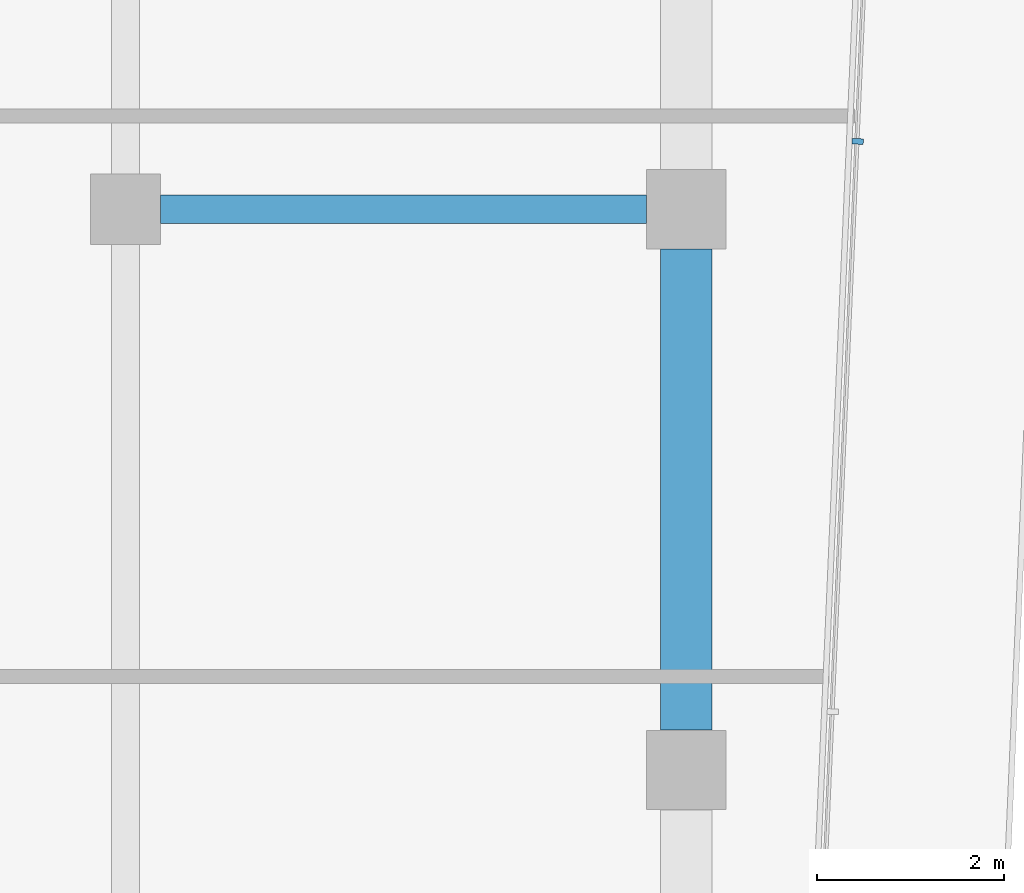
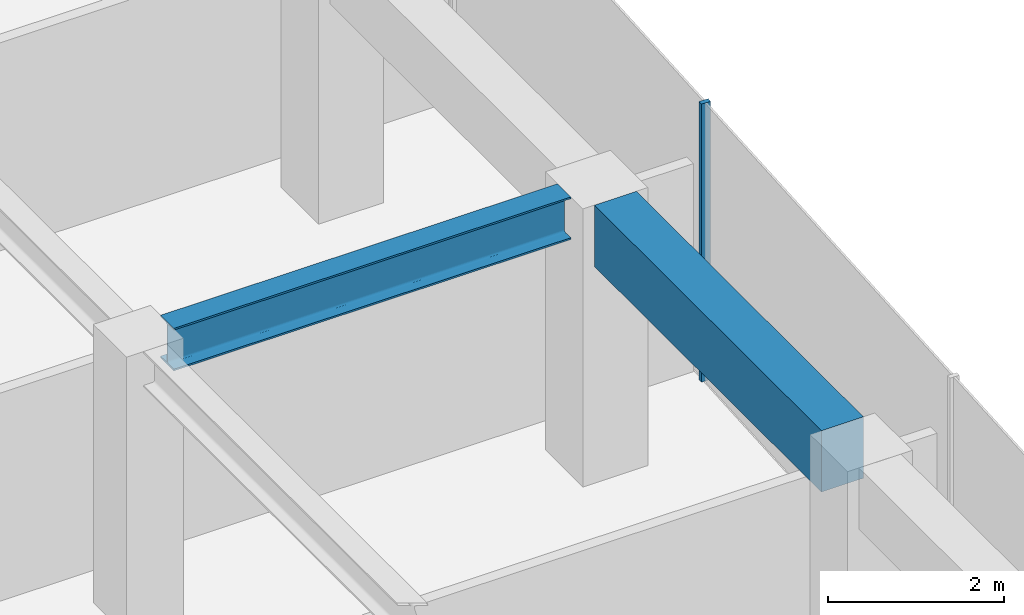
# One storey, part 12 of 21: 2 beams, 1 member, 1 element without a shape of its own.
"""IFC4 building model written with IfcOpenShell, lengths in metres."""

from ifc_helpers import new_model, si_unit, direction, frame, origin, origin_2d, place, context, subcontext, project, spatial, rectangle, i_section, extrude, material, layer, layer_set, material_profile, profile_set, type_object, element, aggregate, save


model = new_model("IFC4")

# Units and contexts
model_context = context("Model", 3, precision=1e-05, world=origin(), true_north=direction((0.0, 1.0)))
body_context = subcontext(model_context, "Body", "Model", "MODEL_VIEW")
ifc_project = project(units=[si_unit("LENGTHUNIT", "METRE"), si_unit("AREAUNIT", "SQUARE_METRE"), si_unit("VOLUMEUNIT", "CUBIC_METRE"), si_unit("PLANEANGLEUNIT", "RADIAN"), si_unit("MASSUNIT", "GRAM", prefix="KILO")], contexts=[model_context])

# Site, building, storey
site_placement = place(None, origin())
site = spatial("IfcSite", under=ifc_project, at=site_placement, CompositionType="ELEMENT")
building_placement = place(site_placement, origin())
building = spatial("IfcBuilding", under=site, at=building_placement, Name="Welwitschia Terrace Campus", CompositionType="ELEMENT")
storey_placement = place(building_placement, frame((0.0, 0.0, 159.199951171875)))
storey = spatial("IfcBuildingStorey", under=building, at=storey_placement, Name="L35", CompositionType="ELEMENT", Elevation=159.199951171875)

# Curtain wall, member
ifc_material_1 = material(Name="Bronze anodised aluminium", Category="aluminium")
ifc_layer = layer(ifc_material_1, 0.1201171875)
ifc_layer_set = layer_set([ifc_layer], Name="Bronze anodised aluminium")
curtain_wall_type = type_object("IfcCurtainWallType", Name="Curtain wall CW2 tower 6000", PredefinedType="NOTDEFINED", material=ifc_layer_set)
curtain_wall_placement = place(storey_placement, origin())
curtain_wall = element("IfcCurtainWall", 1, at=curtain_wall_placement, inside=storey, type_object=curtain_wall_type, Name="CW L35.9.0", PredefinedType="NOTDEFINED")
ifc_material_2 = material(Name="Bronze anodised aluminium", Category="aluminium")
ifc_material_profile_1 = material_profile(ifc_material_2, rectangle(XDim=0.1201171875, YDim=0.06005859375, at=origin_2d()))
ifc_profile_set_1 = profile_set([ifc_material_profile_1], Name="Bronze anodised aluminium")
member_type = type_object("IfcMemberType", Name="Mullion 60x120", PredefinedType="MULLION", material=ifc_profile_set_1)
member_placement = place(storey_placement, frame((25.83447265625, 44.7255859375, 0.0), z_axis=(0.0, 0.0, 1.0), x_axis=(-0.999048221582, 0.043619387365, 0.0)))
member = element("IfcMember", 2, at=member_placement, type_object=member_type, Name="Mullion L35.9.0.3", PredefinedType="MULLION", context=body_context, shape_type="SweptSolid", body=[
    extrude(rectangle(XDim=0.1201171875, YDim=0.06005859375, at=origin_2d()), origin(), (0.0, 0.0, 1.0), 3.85009765625),
])
aggregate(curtain_wall, [member])

# Beams
ifc_material_3 = material(Name="Steel S355", Category="steel")
ifc_material_profile_2 = material_profile(ifc_material_3, i_section(OverallWidth=0.300048828125, OverallDepth=0.590087890625, WebThickness=0.012939453125, FlangeThickness=0.02490234375, FilletRadius=0.027099609375, at=origin_2d()))
ifc_profile_set_2 = profile_set([ifc_material_profile_2], Name="Steel S355")
beam_type_1 = type_object("IfcBeamType", Name="Primary beam HE 600 A", PredefinedType="BEAM", material=ifc_profile_set_2)
beam_1_placement = place(storey_placement, frame((23.574462890625, 44.0, 3.554931640625), z_axis=(-1.0, 0.0, 0.0), x_axis=(0.0, -1.0, 0.0)))
element("IfcBeam", 3, at=beam_1_placement, inside=storey, type_object=beam_type_1, Name="Primary beam PB4", PredefinedType="BEAM", context=body_context, shape_type="SweptSolid", body=[
    extrude(i_section(OverallWidth=0.300048828125, OverallDepth=0.590087890625, WebThickness=0.012939453125, FlangeThickness=0.02490234375, FilletRadius=0.027099609375, at=origin_2d()), origin(), (0.0, 0.0, 1.0), 5.198974609375),
])
ifc_material_4 = material(Name="Concrete C50/60", Category="concrete")
ifc_material_profile_3 = material_profile(ifc_material_4, rectangle(XDim=0.550048828125, YDim=0.85009765625, at=origin_2d()))
ifc_profile_set_3 = profile_set([ifc_material_profile_3], Name="Concrete C50/60")
beam_type_2 = type_object("IfcBeamType", Name="Ring spandrel 550x850", PredefinedType="SPANDREL", material=ifc_profile_set_3)
beam_2_placement = place(storey_placement, frame((24.0, 38.425537109375, 3.425048828125), z_axis=(0.0, 1.0, 0.0), x_axis=(-1.0, 0.0, 0.0)))
element("IfcBeam", 4, at=beam_2_placement, inside=storey, type_object=beam_type_2, Name="Spandrel SP3", PredefinedType="SPANDREL", context=body_context, shape_type="SweptSolid", body=[
    extrude(rectangle(XDim=0.550048828125, YDim=0.85009765625, at=origin_2d()), origin(), (0.0, 0.0, 1.0), 5.14892578125),
])

save(model, "model.ifc")
